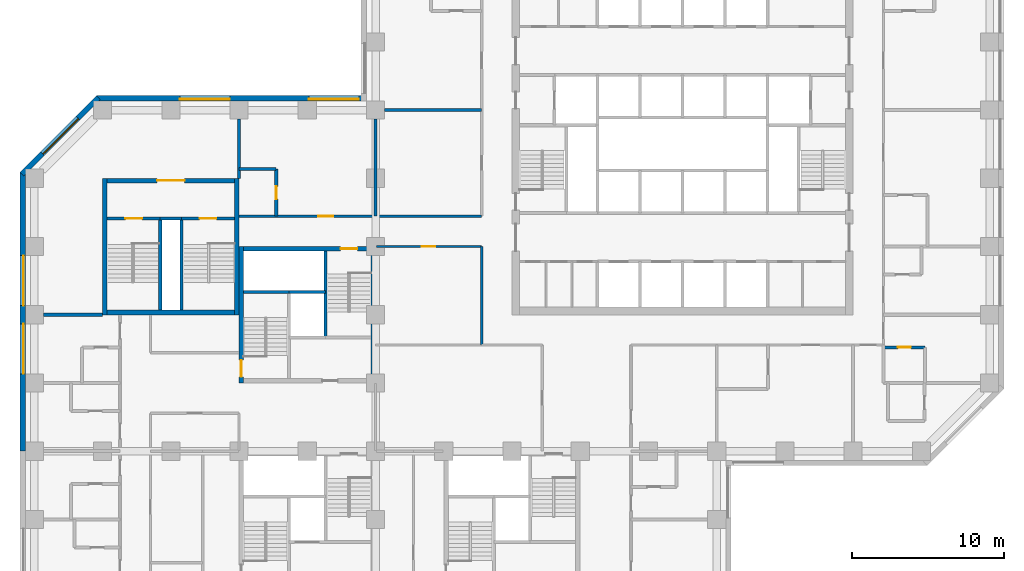
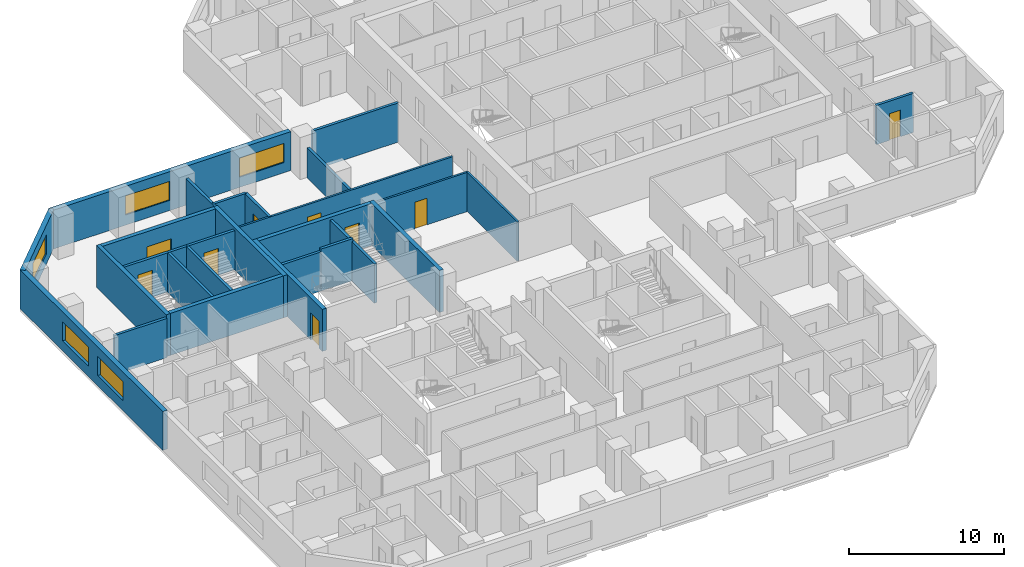
# One storey, part 6 of 12: 28 walls, 9 doors, 5 windows, 14 openings.
"""IFC4 building model written with IfcOpenShell, lengths in metres."""

import ifcopenshell
import ifcopenshell.guid

model = None  # the IFC model being written
_history = None  # IfcOwnerHistory: only IFC2X3 demands one
_inside = {}  # id of a spatial element -> (the spatial element, [elements in it])
_under = {}  # id of a project, library or spatial element -> (it, [spatial elements below it])
_declared = {}  # id of a project -> (the project, [libraries it declares])
_typed = {}  # id of a type object -> (the type object, [elements of that type])
_made_of = {}  # id of a material, layer set ... -> (it, [elements and type objects made of it])


def new_model(schema):
    """Start an empty IFC model of exactly this schema.

    Asked for "IFC4X3", IfcOpenShell would pick the latest addendum, in which some entities
    have other attributes; the version numbers below select the first issue.
    IFC2X3 requires an IfcOwnerHistory on every rooted entity: one is made here for all.
    """
    global model, _history
    if schema == "IFC4X3":
        model = ifcopenshell.file(schema_version=(4, 3, 0, 0))
    else:
        model = ifcopenshell.file(schema=schema)
    _inside.clear()
    _under.clear()
    _declared.clear()
    _typed.clear()
    _made_of.clear()
    _history = None
    if model.schema == "IFC2X3":
        org = make("IfcOrganization", Name="unknown")
        user = make(
            "IfcPersonAndOrganization",
            ThePerson=make("IfcPerson", FamilyName="unknown"),
            TheOrganization=org,
        )
        app = make(
            "IfcApplication",
            ApplicationDeveloper=org,
            Version="unknown",
            ApplicationFullName="unknown",
            ApplicationIdentifier="unknown",
        )
        _history = make(
            "IfcOwnerHistory",
            OwningUser=user,
            OwningApplication=app,
            ChangeAction="ADDED",
            CreationDate=0,
        )
    return model


def make(cls, **values):
    """One entity of the class cls with the attributes given. An attribute that is None is left unset."""
    return model.create_entity(
        cls, **{name: value for name, value in values.items() if value is not None}
    )


def rooted(cls, **values):
    """An entity with a GlobalId (a new one), such as an element, a storey or a relation."""
    return make(cls, GlobalId=ifcopenshell.guid.new(), OwnerHistory=_history, **values)


def si_unit(unit_type, name, prefix=None):
    """IfcSIUnit, for example si_unit("LENGTHUNIT", "METRE", prefix="MILLI")."""
    return make("IfcSIUnit", UnitType=unit_type, Prefix=prefix, Name=name)


def assignment(units):
    """IfcUnitAssignment: the units of a project."""
    return None if units is None else make("IfcUnitAssignment", Units=units)


def point(xyz):
    """IfcCartesianPoint."""
    return None if xyz is None else make("IfcCartesianPoint", Coordinates=xyz)


def direction(xyz):
    """IfcDirection."""
    return None if xyz is None else make("IfcDirection", DirectionRatios=xyz)


def frame(location, z_axis=None, x_axis=None):
    """IfcAxis2Placement3D, a coordinate frame: its origin and axes. An axis left out is left unset."""
    return make(
        "IfcAxis2Placement3D",
        Location=point(location),
        Axis=direction(z_axis),
        RefDirection=direction(x_axis),
    )


def frame_2d(location, x_axis=None):
    """IfcAxis2Placement2D, a coordinate frame in the plane: its origin and x axis."""
    return make(
        "IfcAxis2Placement2D", Location=point(location), RefDirection=direction(x_axis)
    )


def origin():
    """The frame at (0, 0, 0) with its axes left unset."""
    return frame((0.0, 0.0, 0.0))


def place(relative_to, where):
    """IfcLocalPlacement: puts the frame where relative to a parent placement (None: the world)."""
    return make(
        "IfcLocalPlacement", PlacementRelTo=relative_to, RelativePlacement=where
    )


def context(
    kind, dimensions, precision=None, world=None, true_north=None, identifier=None
):
    """IfcGeometricRepresentationContext, for example the 3D "Model" context."""
    return make(
        "IfcGeometricRepresentationContext",
        ContextIdentifier=identifier,
        ContextType=kind,
        CoordinateSpaceDimension=dimensions,
        Precision=precision,
        WorldCoordinateSystem=world,
        TrueNorth=true_north,
    )


def subcontext(parent, identifier, kind, view, scale=None):
    """IfcGeometricRepresentationSubContext, for example "Body" below "Model"."""
    return make(
        "IfcGeometricRepresentationSubContext",
        ContextIdentifier=identifier,
        ContextType=kind,
        ParentContext=parent,
        TargetScale=scale,
        TargetView=view,
    )


def project(units=None, contexts=None):
    """IfcProject with its units and contexts."""
    return rooted(
        "IfcProject",
        Name="project",
        RepresentationContexts=contexts,
        UnitsInContext=assignment(units),
    )


def spatial(cls, under=None, at=None, **own):
    """A site, building, storey or space (cls), placed at a placement, below another one or the project."""
    s = rooted(cls, ObjectPlacement=at, **own)
    if under is not None:
        _under.setdefault(under.id(), (under, []))[1].append(s)
    return s


def profile(cls, at=None, kind="AREA", **sizes):
    """A parametric profile (cls). Its sizes go by their IFC names, for example OverallWidth=200.0."""
    return make(cls, ProfileType=kind, Position=at, **sizes)


def rectangle(**sizes):
    """IfcRectangleProfileDef."""
    return profile("IfcRectangleProfileDef", **sizes)


def extrude(swept, where, along, depth):
    """IfcExtrudedAreaSolid: the profile swept, set in the frame where, extruded along a direction by depth."""
    return make(
        "IfcExtrudedAreaSolid",
        SweptArea=swept,
        Position=where,
        ExtrudedDirection=direction(along),
        Depth=depth,
    )


def shape(context_of_items, identifier, shape_type, items):
    """IfcShapeRepresentation: the items that make up one representation, for example the "Body"."""
    return make(
        "IfcShapeRepresentation",
        ContextOfItems=context_of_items,
        RepresentationIdentifier=identifier,
        RepresentationType=shape_type,
        Items=items,
    )


def material(Name=None, Category=None):
    """IfcMaterial."""
    return make("IfcMaterial", Name=Name, Category=Category)


def layer(
    of_material, thickness, ventilated=None, Name=None, Category=None, Priority=None
):
    """IfcMaterialLayer: one layer of a wall or slab, of a material (None: an air gap)."""
    return make(
        "IfcMaterialLayer",
        Material=of_material,
        LayerThickness=thickness,
        IsVentilated=ventilated,
        Name=Name,
        Category=Category,
        Priority=Priority,
    )


def layer_set(layers, Name=None):
    """IfcMaterialLayerSet."""
    return make("IfcMaterialLayerSet", MaterialLayers=layers, LayerSetName=Name)


def constituent(of_material, Name=None, Category=None, fraction=None):
    """IfcMaterialConstituent: one of the materials an element consists of."""
    return make(
        "IfcMaterialConstituent",
        Name=Name,
        Material=of_material,
        Fraction=fraction,
        Category=Category,
    )


def constituent_set(constituents=None, Name=None):
    """IfcMaterialConstituentSet."""
    return make(
        "IfcMaterialConstituentSet", Name=Name, MaterialConstituents=constituents
    )


def made_of(thing, what):
    """Note that an element or type object is made of a material, layer set ...; save() writes the relation."""
    if what is not None:
        _made_of.setdefault(what.id(), (what, []))[1].append(thing)
    return thing


def type_object(cls, material=None, **own):
    """A type object (cls), such as IfcWallType, which elements share."""
    return made_of(rooted(cls, **own), material)


def element(
    cls,
    number,
    at=None,
    inside=None,
    cuts=None,
    type_object=None,
    material=None,
    context=None,
    identifier="Body",
    shape_type=None,
    held_by="IfcProductDefinitionShape",
    body=None,
    shapes=None,
    **own,
):
    """One element of the class cls, such as IfcWall. Its Tag is "e" and its number.

    at: its placement. inside: the storey or other place that contains it. cuts: it is an
    opening in that element (IfcRelVoidsElement). A single representation is given by context,
    identifier, shape_type and body (its items); several are given by shapes. held_by: the class
    of the entity that holds the representations. save() writes the other relations.
    """
    e = rooted(cls, Tag="e%d" % number, ObjectPlacement=at, **own)
    if body is not None:
        shapes = [shape(context, identifier, shape_type, body)]
    if shapes is not None:
        e.Representation = make(held_by, Representations=shapes)
    if inside is not None:
        _inside.setdefault(inside.id(), (inside, []))[1].append(e)
    if cuts is not None:
        rooted(
            "IfcRelVoidsElement", RelatingBuildingElement=cuts, RelatedOpeningElement=e
        )
    if type_object is not None:
        _typed.setdefault(type_object.id(), (type_object, []))[1].append(e)
    return made_of(e, material)


def fill(opening, filler):
    """IfcRelFillsElement: the door or window that sits in an opening."""
    return rooted(
        "IfcRelFillsElement",
        RelatingOpeningElement=opening,
        RelatedBuildingElement=filler,
    )


def aggregate(whole, parts):
    """IfcRelAggregates: a whole, such as a stair, and the parts it consists of."""
    return rooted("IfcRelAggregates", RelatingObject=whole, RelatedObjects=parts)


def save(model, path):
    """Write the relations noted so far, then the file.

    IfcRelAggregates (storeys below a building ...), IfcRelContainedInSpatialStructure (elements
    in a storey), IfcRelDefinesByType, IfcRelAssociatesMaterial and IfcRelDeclares: one each for
    every whole, place, type object, material and project.
    """
    for whole, parts in _under.values():
        aggregate(whole, parts)
    for where, things in _inside.values():
        rooted(
            "IfcRelContainedInSpatialStructure",
            RelatedElements=things,
            RelatingStructure=where,
        )
    for kind, things in _typed.values():
        rooted("IfcRelDefinesByType", RelatedObjects=things, RelatingType=kind)
    for what, things in _made_of.values():
        rooted("IfcRelAssociatesMaterial", RelatedObjects=things, RelatingMaterial=what)
    for by, libraries in _declared.values():
        rooted("IfcRelDeclares", RelatingContext=by, RelatedDefinitions=libraries)
    model.write(path)


model = new_model("IFC4")

# Units and contexts
model_context = context("Model", 3, precision=1e-05, world=origin(), true_north=direction((0.0, 1.0)))
body_context = subcontext(model_context, "Body", "Model", "MODEL_VIEW")
ifc_project = project(units=[si_unit("LENGTHUNIT", "METRE"), si_unit("AREAUNIT", "SQUARE_METRE"), si_unit("VOLUMEUNIT", "CUBIC_METRE"), si_unit("PLANEANGLEUNIT", "RADIAN"), si_unit("MASSUNIT", "GRAM", prefix="KILO")], contexts=[model_context])

# Site, building, storey
site_placement = place(None, origin())
site = spatial("IfcSite", under=ifc_project, at=site_placement, CompositionType="ELEMENT")
building_placement = place(site_placement, origin())
building = spatial("IfcBuilding", under=site, at=building_placement, Name="Quoin Convention Tower", CompositionType="ELEMENT")
storey_placement = place(building_placement, frame((0.0, 0.0, 56.10009765625)))
storey = spatial("IfcBuildingStorey", under=building, at=storey_placement, Name="L14", CompositionType="ELEMENT", Elevation=56.10009765625)

# Wall, openings, windows
ifc_material_1 = material(Name="Brick masonry", Category="masonry")
ifc_layer_1 = layer(ifc_material_1, 0.35009765625)
ifc_layer_set_1 = layer_set([ifc_layer_1], Name="Brick masonry")
wall_type_1 = type_object("IfcWallType", Name="Brick facade wall", PredefinedType="STANDARD", material=ifc_layer_set_1)
wall_1_placement = place(storey_placement, frame((35.39990234375, 63.77490234375, 0.0), z_axis=(0.0, 0.0, 1.0), x_axis=(-1.0, 0.0, 0.0)))
wall_1 = element("IfcWall", 1, at=wall_1_placement, inside=storey, type_object=wall_type_1, Name="fw-L14-36000_63000", PredefinedType="STANDARD", context=body_context, shape_type="SweptSolid", body=[
    extrude(rectangle(XDim=17.79345703125, YDim=0.35009765625, at=frame_2d((8.896728515625, 0.0))), origin(), (0.0, 0.0, 1.0), 3.054931640625),
])
opening_1_placement = place(wall_1_placement, frame((0.5, 0.0, 0.800048828125)))
opening_1 = element("IfcOpeningElement", 2, at=opening_1_placement, cuts=wall_1, Name="Opening W-01", PredefinedType="OPENING", context=body_context, shape_type="SweptSolid", body=[
    extrude(rectangle(XDim=3.300048828125, YDim=1.5, at=frame_2d((1.64990234375, 0.75))), frame((0.0, 0.18505859375, 0.0), z_axis=(0.0, -1.0, 0.0), x_axis=(1.0, 0.0, 0.0)), (0.0, 0.0, 1.0), 0.3701171875),
])
opening_2_placement = place(wall_1_placement, frame((9.0, 0.0, 0.800048828125)))
opening_2 = element("IfcOpeningElement", 3, at=opening_2_placement, cuts=wall_1, Name="Opening W-01", PredefinedType="OPENING", context=body_context, shape_type="SweptSolid", body=[
    extrude(rectangle(XDim=3.300048828125, YDim=1.5, at=frame_2d((1.64990234375, 0.75))), frame((0.0, 0.18505859375, 0.0), z_axis=(0.0, -1.0, 0.0), x_axis=(1.0, 0.0, 0.0)), (0.0, 0.0, 1.0), 0.3701171875),
])
ifc_material_2 = material(Name="Aluminium", Category="aluminium")
ifc_constituent_1 = constituent(ifc_material_2, Name="Frame")
ifc_material_3 = material(Name="Insulated glass", Category="glass")
ifc_constituent_2 = constituent(ifc_material_3, Name="Glazing")
ifc_constituent_set = constituent_set(constituents=[ifc_constituent_1, ifc_constituent_2], Name="Aluminium")
window_type = type_object("IfcWindowType", Name="Hotel strip window", PartitioningType="DOUBLE_PANEL_VERTICAL", PredefinedType="WINDOW", material=ifc_constituent_set)
window_1_placement = place(opening_1_placement, origin())
window_1 = element("IfcWindow", 4, at=window_1_placement, inside=storey, type_object=window_type, Name="win-L14-33750_63775", OverallHeight=1.5, OverallWidth=3.300048828125, PartitioningType="SINGLE_PANEL", PredefinedType="WINDOW", context=body_context, shape_type="SweptSolid", body=[
    extrude(rectangle(XDim=3.300048828125, YDim=1.5, at=frame_2d((1.64990234375, 0.75))), frame((0.0, 0.0849609375, 0.0), z_axis=(0.0, -1.0, 0.0), x_axis=(1.0, 0.0, 0.0)), (0.0, 0.0, 1.0), 0.06005859375),
])
fill(opening_1, window_1)
window_2_placement = place(opening_2_placement, origin())
window_2 = element("IfcWindow", 5, at=window_2_placement, inside=storey, type_object=window_type, Name="win-L14-24750_63775", OverallHeight=1.5, OverallWidth=3.300048828125, PartitioningType="SINGLE_PANEL", PredefinedType="WINDOW", context=body_context, shape_type="SweptSolid", body=[
    extrude(rectangle(XDim=3.300048828125, YDim=1.5, at=frame_2d((1.64990234375, 0.75))), frame((0.0, 0.0849609375, 0.0), z_axis=(0.0, -1.0, 0.0), x_axis=(1.0, 0.0, 0.0)), (0.0, 0.0, 1.0), 0.06005859375),
])
fill(opening_2, window_2)

# Wall, opening, window
wall_2_placement = place(storey_placement, frame((17.730224609375, 63.826416015625, 0.0), z_axis=(0.0, 0.0, 1.0), x_axis=(-0.707106781187, -0.707106781187, 0.0)))
wall_2 = element("IfcWall", 6, at=wall_2_placement, inside=storey, type_object=wall_type_1, Name="fw-L14-18000_63000", PredefinedType="STANDARD", context=body_context, shape_type="SweptSolid", body=[
    extrude(rectangle(XDim=7.151123046875, YDim=0.35009765625, at=frame_2d((3.57568359375, 0.0))), origin(), (0.0, 0.0, 1.0), 3.054931640625),
])
opening_3_placement = place(wall_2_placement, frame((1.925537109375, 0.0, 0.800048828125)))
opening_3 = element("IfcOpeningElement", 7, at=opening_3_placement, cuts=wall_2, Name="Opening W-01", PredefinedType="OPENING", context=body_context, shape_type="SweptSolid", body=[
    extrude(rectangle(XDim=3.300048828125, YDim=1.5, at=frame_2d((1.64990234375, 0.75))), frame((0.0, 0.18505859375, 0.0), z_axis=(0.0, -1.0, 0.0), x_axis=(1.0, 0.0, 0.0)), (0.0, 0.0, 1.0), 0.3701171875),
])
window_3_placement = place(opening_3_placement, origin())
window_3 = element("IfcWindow", 8, at=window_3_placement, inside=storey, type_object=window_type, Name="win-L14-15202_61298", OverallHeight=1.5, OverallWidth=3.300048828125, PartitioningType="SINGLE_PANEL", PredefinedType="WINDOW", context=body_context, shape_type="SweptSolid", body=[
    extrude(rectangle(XDim=3.300048828125, YDim=1.5, at=frame_2d((1.64990234375, 0.75))), frame((0.0, 0.0849609375, 0.0), z_axis=(0.0, -1.0, 0.0), x_axis=(1.0, 0.0, 0.0)), (0.0, 0.0, 1.0), 0.06005859375),
])
fill(opening_3, window_3)

# Wall, openings, windows
wall_3_placement = place(storey_placement, frame((12.72509765625, 58.8935546875, 0.0), z_axis=(0.0, 0.0, 1.0), x_axis=(0.0, -1.0, 0.0)))
wall_3 = element("IfcWall", 9, at=wall_3_placement, inside=storey, type_object=wall_type_1, Name="fw-L14-13500_58500", PredefinedType="STANDARD", context=body_context, shape_type="SweptSolid", body=[
    extrude(rectangle(XDim=18.3935546875, YDim=0.35009765625, at=frame_2d((9.19677734375, 0.0))), origin(), (0.0, 0.0, 1.0), 3.054931640625),
])
opening_4_placement = place(wall_3_placement, frame((5.493408203125, 0.0, 0.800048828125)))
opening_4 = element("IfcOpeningElement", 10, at=opening_4_placement, cuts=wall_3, Name="Opening W-01", PredefinedType="OPENING", context=body_context, shape_type="SweptSolid", body=[
    extrude(rectangle(XDim=3.300048828125, YDim=1.5, at=frame_2d((1.64990234375, 0.75))), frame((0.0, 0.18505859375, 0.0), z_axis=(0.0, -1.0, 0.0), x_axis=(1.0, 0.0, 0.0)), (0.0, 0.0, 1.0), 0.3701171875),
])
opening_5_placement = place(wall_3_placement, frame((9.993408203125, 0.0, 0.800048828125)))
opening_5 = element("IfcOpeningElement", 11, at=opening_5_placement, cuts=wall_3, Name="Opening W-01", PredefinedType="OPENING", context=body_context, shape_type="SweptSolid", body=[
    extrude(rectangle(XDim=3.300048828125, YDim=1.5, at=frame_2d((1.64990234375, 0.75))), frame((0.0, 0.18505859375, 0.0), z_axis=(0.0, -1.0, 0.0), x_axis=(1.0, 0.0, 0.0)), (0.0, 0.0, 1.0), 0.3701171875),
])
window_4_placement = place(opening_4_placement, origin())
window_4 = element("IfcWindow", 12, at=window_4_placement, inside=storey, type_object=window_type, Name="win-L14-12725_51750", OverallHeight=1.5, OverallWidth=3.300048828125, PartitioningType="SINGLE_PANEL", PredefinedType="WINDOW", context=body_context, shape_type="SweptSolid", body=[
    extrude(rectangle(XDim=3.300048828125, YDim=1.5, at=frame_2d((1.64990234375, 0.75))), frame((0.0, 0.0849609375, 0.0), z_axis=(0.0, -1.0, 0.0), x_axis=(1.0, 0.0, 0.0)), (0.0, 0.0, 1.0), 0.06005859375),
])
fill(opening_4, window_4)
window_5_placement = place(opening_5_placement, origin())
window_5 = element("IfcWindow", 13, at=window_5_placement, inside=storey, type_object=window_type, Name="win-L14-12725_47250", OverallHeight=1.5, OverallWidth=3.300048828125, PartitioningType="SINGLE_PANEL", PredefinedType="WINDOW", context=body_context, shape_type="SweptSolid", body=[
    extrude(rectangle(XDim=3.300048828125, YDim=1.5, at=frame_2d((1.64990234375, 0.75))), frame((0.0, 0.0849609375, 0.0), z_axis=(0.0, -1.0, 0.0), x_axis=(1.0, 0.0, 0.0)), (0.0, 0.0, 1.0), 0.06005859375),
])
fill(opening_5, window_5)

# Walls
ifc_material_4 = material(Name="Concrete C50", Category="concrete")
ifc_layer_2 = layer(ifc_material_4, 0.199951171875)
ifc_layer_set_2 = layer_set([ifc_layer_2], Name="Concrete C50")
wall_type_2 = type_object("IfcWallType", Name="Core shaft wall", PredefinedType="SOLIDWALL", material=ifc_layer_set_2)
wall_4_placement = place(storey_placement, frame((27.300048828125, 51.0, 0.0), z_axis=(0.0, 0.0, 1.0), x_axis=(1.0, 0.0, 0.0)))
element("IfcWall", 14, at=wall_4_placement, inside=storey, type_object=wall_type_2, Name="cr-P2-L14-h6000_300", PredefinedType="SOLIDWALL", context=body_context, shape_type="SweptSolid", body=[
    extrude(rectangle(XDim=3.0, YDim=0.199951171875, at=frame_2d((1.5, 0.0))), origin(), (0.0, 0.0, 1.0), 3.079833984375),
])
wall_5_placement = place(storey_placement, frame((32.699951171875, 48.0, 0.0), z_axis=(0.0, 0.0, 1.0), x_axis=(0.0, 1.0, 0.0)))
element("IfcWall", 15, at=wall_5_placement, inside=storey, type_object=wall_type_2, Name="cr-P2-L14-v5700_3000", PredefinedType="SOLIDWALL", context=body_context, shape_type="SweptSolid", body=[
    extrude(rectangle(XDim=5.699951171875, YDim=0.199951171875, at=frame_2d((2.85009765625, 0.0))), origin(), (0.0, 0.0, 1.0), 3.079833984375),
])
wall_6_placement = place(storey_placement, frame((21.800048828125, 55.85009765625, 0.0), z_axis=(0.0, 0.0, 1.0), x_axis=(1.0, 0.0, 0.0)))
element("IfcWall", 16, at=wall_6_placement, inside=storey, type_object=wall_type_2, Name="cr-P6-L14-h6350_3800", PredefinedType="SOLIDWALL", context=body_context, shape_type="SweptSolid", body=[
    extrude(rectangle(XDim=1.39990234375, YDim=0.199951171875, at=frame_2d((0.699951171875, 0.0))), origin(), (0.0, 0.0, 1.0), 3.079833984375),
])

# Wall, opening, door
wall_7_placement = place(storey_placement, frame((18.300048828125, 55.85009765625, 0.0), z_axis=(0.0, 0.0, 1.0), x_axis=(1.0, 0.0, 0.0)))
wall_7 = element("IfcWall", 17, at=wall_7_placement, inside=storey, type_object=wall_type_2, Name="cr-P6-L14-h6350_300", PredefinedType="SOLIDWALL", context=body_context, shape_type="SweptSolid", body=[
    extrude(rectangle(XDim=3.5, YDim=0.199951171875, at=frame_2d((1.75, 0.0))), origin(), (0.0, 0.0, 1.0), 3.079833984375),
])
opening_6_placement = place(wall_7_placement, frame((1.199951171875, 0.0, 0.0)))
opening_6 = element("IfcOpeningElement", 18, at=opening_6_placement, cuts=wall_7, Name="Opening SD11", PredefinedType="OPENING", context=body_context, shape_type="SweptSolid", body=[
    extrude(rectangle(XDim=1.10009765625, YDim=2.10009765625, at=frame_2d((0.550048828125, 1.050048828125))), frame((0.0, 0.10986328125, 0.0), z_axis=(0.0, -1.0, 0.0), x_axis=(1.0, 0.0, 0.0)), (0.0, 0.0, 1.0), 0.219970703125),
])
ifc_material_5 = material(Name="Steel door leaf", Category="steel")
door_type_1 = type_object("IfcDoorType", Name="Stair door 1100 x 2100", OperationType="SINGLE_SWING_RIGHT", PredefinedType="DOOR", material=ifc_material_5)
door_1_placement = place(opening_6_placement, origin())
door_1 = element("IfcDoor", 19, at=door_1_placement, inside=storey, type_object=door_type_1, Name="cd-P6-L14-SA-R2-SD11", OperationType="SINGLE_SWING_RIGHT", OverallHeight=2.10009765625, OverallWidth=1.10009765625, PredefinedType="DOOR", context=body_context, shape_type="SweptSolid", body=[
    extrude(rectangle(XDim=1.10009765625, YDim=2.10009765625, at=frame_2d((0.550048828125, 1.050048828125))), frame((0.0, 0.02490234375, 0.0), z_axis=(0.0, -1.0, 0.0), x_axis=(1.0, 0.0, 0.0)), (0.0, 0.0, 1.0), 0.050048828125),
])
fill(opening_6, door_1)

wall_8_placement = place(storey_placement, frame((23.199951171875, 55.85009765625, 0.0), z_axis=(0.0, 0.0, 1.0), x_axis=(1.0, 0.0, 0.0)))
wall_8 = element("IfcWall", 20, at=wall_8_placement, inside=storey, type_object=wall_type_2, Name="cr-P6-L14-h6350_5200", PredefinedType="SOLIDWALL", context=body_context, shape_type="SweptSolid", body=[
    extrude(rectangle(XDim=3.5, YDim=0.199951171875, at=frame_2d((1.75, 0.0))), origin(), (0.0, 0.0, 1.0), 3.079833984375),
])
opening_7_placement = place(wall_8_placement, frame((1.199951171875, 0.0, 0.0)))
opening_7 = element("IfcOpeningElement", 21, at=opening_7_placement, cuts=wall_8, Name="Opening SD12", PredefinedType="OPENING", context=body_context, shape_type="SweptSolid", body=[
    extrude(rectangle(XDim=1.10009765625, YDim=2.10009765625, at=frame_2d((0.550048828125, 1.050048828125))), frame((0.0, 0.10986328125, 0.0), z_axis=(0.0, -1.0, 0.0), x_axis=(1.0, 0.0, 0.0)), (0.0, 0.0, 1.0), 0.219970703125),
])
door_2_placement = place(opening_7_placement, origin())
door_2 = element("IfcDoor", 22, at=door_2_placement, inside=storey, type_object=door_type_1, Name="cd-P6-L14-SB-R2-SD12", OperationType="SINGLE_SWING_RIGHT", OverallHeight=2.10009765625, OverallWidth=1.10009765625, PredefinedType="DOOR", context=body_context, shape_type="SweptSolid", body=[
    extrude(rectangle(XDim=1.10009765625, YDim=2.10009765625, at=frame_2d((0.550048828125, 1.050048828125))), frame((0.0, 0.02490234375, 0.0), z_axis=(0.0, -1.0, 0.0), x_axis=(1.0, 0.0, 0.0)), (0.0, 0.0, 1.0), 0.050048828125),
])
fill(opening_7, door_2)

# Walls
for number, where, z_axis, x_axis, name in (
    (23, (21.800048828125, 49.800048828125, 0.0), (0.0, 0.0, 1.0), (0.0, 1.0, 0.0), "cr-P6-L14-v3800_300"),
    (24, (23.199951171875, 49.800048828125, 0.0), (0.0, 0.0, 1.0), (0.0, 1.0, 0.0), "cr-P6-L14-v5200_300"),
):
    element("IfcWall", number, at=place(storey_placement, frame(where, z_axis=z_axis, x_axis=x_axis)), inside=storey, type_object=wall_type_2, Name=name, PredefinedType="SOLIDWALL", context=body_context, shape_type="SweptSolid", body=[
        extrude(rectangle(XDim=6.050048828125, YDim=0.199951171875, at=frame_2d((3.02490234375, 0.0))), origin(), (0.0, 0.0, 1.0), 3.079833984375),
    ])
ifc_layer_3 = layer(ifc_material_4, 0.199951171875)
ifc_layer_set_3 = layer_set([ifc_layer_3], Name="Concrete C50")
wall_type_3 = type_object("IfcWallType", Name="Core shaft wall to the floor level over", PredefinedType="SOLIDWALL", material=ifc_layer_set_3)
wall_9_placement = place(storey_placement, frame((30.300048828125, 51.0, 0.0), z_axis=(0.0, 0.0, 1.0), x_axis=(1.0, 0.0, 0.0)))
element("IfcWall", 25, at=wall_9_placement, inside=storey, type_object=wall_type_3, Name="cr-P2-L14-h6000_3300", PredefinedType="SOLIDWALL", context=body_context, shape_type="SweptSolid", body=[
    extrude(rectangle(XDim=2.39990234375, YDim=0.199951171875, at=frame_2d((1.199951171875, 0.0))), origin(), (0.0, 0.0, 1.0), 3.2998046875),
])

# Wall, opening, door
ifc_material_6 = material(Name="Concrete C80", Category="concrete")
ifc_layer_4 = layer(ifc_material_6, 0.300048828125)
ifc_layer_set_4 = layer_set([ifc_layer_4], Name="Concrete C80")
wall_type_4 = type_object("IfcWallType", Name="RC CORE WALL 300 C80", PredefinedType="SHEAR", material=ifc_layer_set_4)
wall_10_placement = place(storey_placement, frame((27.300048828125, 53.85009765625, 0.0), z_axis=(0.0, 0.0, 1.0), x_axis=(1.0, 0.0, 0.0)))
wall_10 = element("IfcWall", 26, at=wall_10_placement, inside=storey, type_object=wall_type_4, Name="cwl-P2-L14-N", PredefinedType="SHEAR", context=body_context, shape_type="SweptSolid", body=[
    extrude(rectangle(XDim=8.39990234375, YDim=0.300048828125, at=frame_2d((4.199951171875, 0.0))), origin(), (0.0, 0.0, 1.0), 3.2998046875),
])
opening_8_placement = place(wall_10_placement, frame((6.39990234375, 0.0, 0.0)))
opening_8 = element("IfcOpeningElement", 27, at=opening_8_placement, cuts=wall_10, Name="Opening SD4", PredefinedType="OPENING", context=body_context, shape_type="SweptSolid", body=[
    extrude(rectangle(XDim=1.10009765625, YDim=2.10009765625, at=frame_2d((0.550048828125, 1.050048828125))), frame((0.0, 0.159912109375, 0.0), z_axis=(0.0, -1.0, 0.0), x_axis=(1.0, 0.0, 0.0)), (0.0, 0.0, 1.0), 0.320068359375),
])
door_3_placement = place(opening_8_placement, frame((1.10009765625, 0.0, 0.0), z_axis=(0.0, 0.0, 1.0), x_axis=(-1.0, 0.0, 0.0)))
door_3 = element("IfcDoor", 28, at=door_3_placement, inside=storey, type_object=door_type_1, Name="cd-P2-L14-SB-N", OperationType="SINGLE_SWING_LEFT", OverallHeight=2.10009765625, OverallWidth=1.10009765625, PredefinedType="DOOR", context=body_context, shape_type="SweptSolid", body=[
    extrude(rectangle(XDim=1.10009765625, YDim=2.10009765625, at=frame_2d((0.550048828125, 1.050048828125))), frame((0.0, 0.02490234375, 0.0), z_axis=(0.0, -1.0, 0.0), x_axis=(1.0, 0.0, 0.0)), (0.0, 0.0, 1.0), 0.050048828125),
])
fill(opening_8, door_3)

wall_11_placement = place(storey_placement, frame((27.14990234375, 45.0, 0.0), z_axis=(0.0, 0.0, 1.0), x_axis=(0.0, 1.0, 0.0)))
wall_11 = element("IfcWall", 29, at=wall_11_placement, inside=storey, type_object=wall_type_4, Name="cwl-P2-L14-W", PredefinedType="SHEAR", context=body_context, shape_type="SweptSolid", body=[
    extrude(rectangle(XDim=9.0, YDim=0.300048828125, at=frame_2d((4.5, 0.0))), origin(), (0.0, 0.0, 1.0), 3.2998046875),
])
opening_9_placement = place(wall_11_placement, frame((0.39990234375, 0.0, 0.0)))
opening_9 = element("IfcOpeningElement", 30, at=opening_9_placement, cuts=wall_11, Name="Opening SD3", PredefinedType="OPENING", context=body_context, shape_type="SweptSolid", body=[
    extrude(rectangle(XDim=1.10009765625, YDim=2.10009765625, at=frame_2d((0.550048828125, 1.050048828125))), frame((0.0, 0.159912109375, 0.0), z_axis=(0.0, -1.0, 0.0), x_axis=(1.0, 0.0, 0.0)), (0.0, 0.0, 1.0), 0.320068359375),
])
door_4_placement = place(opening_9_placement, frame((1.10009765625, 0.0, 0.0), z_axis=(0.0, 0.0, 1.0), x_axis=(-1.0, 0.0, 0.0)))
door_4 = element("IfcDoor", 31, at=door_4_placement, inside=storey, type_object=door_type_1, Name="cd-P2-L14-SA-W", OperationType="SINGLE_SWING_RIGHT", OverallHeight=2.10009765625, OverallWidth=1.10009765625, PredefinedType="DOOR", context=body_context, shape_type="SweptSolid", body=[
    extrude(rectangle(XDim=1.10009765625, YDim=2.10009765625, at=frame_2d((0.550048828125, 1.050048828125))), frame((0.0, 0.02490234375, 0.0), z_axis=(0.0, -1.0, 0.0), x_axis=(1.0, 0.0, 0.0)), (0.0, 0.0, 1.0), 0.050048828125),
])
fill(opening_9, door_4)

# Walls
wall_12_placement = place(storey_placement, frame((35.85009765625, 45.0, 0.0), z_axis=(0.0, 0.0, 1.0), x_axis=(0.0, 1.0, 0.0)))
element("IfcWall", 32, at=wall_12_placement, inside=storey, type_object=wall_type_4, Name="cwl-P2-L14-E", PredefinedType="SHEAR", context=body_context, shape_type="SweptSolid", body=[
    extrude(rectangle(XDim=9.0, YDim=0.300048828125, at=frame_2d((4.5, 0.0))), origin(), (0.0, 0.0, 1.0), 3.2998046875),
])
wall_13_placement = place(storey_placement, frame((18.300048828125, 49.64990234375, 0.0), z_axis=(0.0, 0.0, 1.0), x_axis=(1.0, 0.0, 0.0)))
element("IfcWall", 33, at=wall_13_placement, inside=storey, type_object=wall_type_4, Name="cwl-P6-L14-S", PredefinedType="SHEAR", context=body_context, shape_type="SweptSolid", body=[
    extrude(rectangle(XDim=8.39990234375, YDim=0.300048828125, at=frame_2d((4.199951171875, 0.0))), origin(), (0.0, 0.0, 1.0), 3.2998046875),
])

# Wall, opening, door
wall_14_placement = place(storey_placement, frame((18.300048828125, 58.35009765625, 0.0), z_axis=(0.0, 0.0, 1.0), x_axis=(1.0, 0.0, 0.0)))
wall_14 = element("IfcWall", 34, at=wall_14_placement, inside=storey, type_object=wall_type_4, Name="cwl-P6-L14-N", PredefinedType="SHEAR", context=body_context, shape_type="SweptSolid", body=[
    extrude(rectangle(XDim=8.39990234375, YDim=0.300048828125, at=frame_2d((4.199951171875, 0.0))), origin(), (0.0, 0.0, 1.0), 3.2998046875),
])
opening_10_placement = place(wall_14_placement, frame((3.300048828125, 0.0, 0.0)))
opening_10 = element("IfcOpeningElement", 35, at=opening_10_placement, cuts=wall_14, Name="Opening DCV5-55", PredefinedType="OPENING", context=body_context, shape_type="SweptSolid", body=[
    extrude(rectangle(XDim=1.800048828125, YDim=2.10009765625, at=frame_2d((0.89990234375, 1.050048828125))), frame((0.0, 0.159912109375, 0.0), z_axis=(0.0, -1.0, 0.0), x_axis=(1.0, 0.0, 0.0)), (0.0, 0.0, 1.0), 0.320068359375),
])
door_type_2 = type_object("IfcDoorType", Name="Goods lobby door 1800 x 2100", OperationType="SINGLE_SWING_LEFT", PredefinedType="DOOR", material=ifc_material_5)
door_5_placement = place(opening_10_placement, origin())
door_5 = element("IfcDoor", 36, at=door_5_placement, inside=storey, type_object=door_type_2, Name="cd-P6-L14-R2-N", OperationType="SINGLE_SWING_RIGHT", OverallHeight=2.10009765625, OverallWidth=1.800048828125, PredefinedType="DOOR", context=body_context, shape_type="SweptSolid", body=[
    extrude(rectangle(XDim=1.800048828125, YDim=2.10009765625, at=frame_2d((0.89990234375, 1.050048828125))), frame((0.0, 0.02490234375, 0.0), z_axis=(0.0, -1.0, 0.0), x_axis=(1.0, 0.0, 0.0)), (0.0, 0.0, 1.0), 0.050048828125),
])
fill(opening_10, door_5)

# Walls
for number, where, z_axis, x_axis, name in (
    (37, (18.14990234375, 49.5, 0.0), (0.0, 0.0, 1.0), (0.0, 1.0, 0.0), "cwl-P6-L14-W"),
    (38, (26.85009765625, 49.5, 0.0), (0.0, 0.0, 1.0), (0.0, 1.0, 0.0), "cwl-P6-L14-E"),
):
    element("IfcWall", number, at=place(storey_placement, frame(where, z_axis=z_axis, x_axis=x_axis)), inside=storey, type_object=wall_type_4, Name=name, PredefinedType="SHEAR", context=body_context, shape_type="SweptSolid", body=[
        extrude(rectangle(XDim=9.0, YDim=0.300048828125, at=frame_2d((4.5, 0.0))), origin(), (0.0, 0.0, 1.0), 3.2998046875),
    ])

# Wall, opening, door
ifc_layer_5 = layer(ifc_material_4, 0.199951171875)
ifc_layer_set_5 = layer_set([ifc_layer_5], Name="Concrete C50")
wall_type_5 = type_object("IfcWallType", Name="RC party wall", PredefinedType="SOLIDWALL", material=ifc_layer_set_5)
wall_15_placement = place(storey_placement, frame((69.5, 47.35009765625, 0.0), z_axis=(0.0, 0.0, 1.0), x_axis=(1.0, 0.0, 0.0)))
wall_15 = element("IfcWall", 39, at=wall_15_placement, inside=storey, type_object=wall_type_5, Name="pw-L14-092", PredefinedType="SOLIDWALL", context=body_context, shape_type="SweptSolid", body=[
    extrude(rectangle(XDim=2.75, YDim=0.199951171875, at=frame_2d((1.375, 0.0))), origin(), (0.0, 0.0, 1.0), 3.079833984375),
])
opening_11_placement = place(wall_15_placement, frame((0.949951171875, 0.0, 0.0)))
opening_11 = element("IfcOpeningElement", 40, at=opening_11_placement, cuts=wall_15, Name="Opening DHOTEL-C-59", PredefinedType="OPENING", context=body_context, shape_type="SweptSolid", body=[
    extrude(rectangle(XDim=0.85009765625, YDim=2.10009765625, at=frame_2d((0.425048828125, 1.050048828125))), frame((0.0, 0.10986328125, 0.0), z_axis=(0.0, -1.0, 0.0), x_axis=(1.0, 0.0, 0.0)), (0.0, 0.0, 1.0), 0.219970703125),
])
door_type_3 = type_object("IfcDoorType", Name="Bathroom door", OperationType="SINGLE_SWING_LEFT", PredefinedType="DOOR", material=ifc_material_5)
door_6_placement = place(opening_11_placement, origin())
door_6 = element("IfcDoor", 41, at=door_6_placement, inside=storey, type_object=door_type_3, Name="dr-L14-056", OperationType="SINGLE_SWING_LEFT", OverallHeight=2.10009765625, OverallWidth=0.85009765625, PredefinedType="DOOR", context=body_context, shape_type="SweptSolid", body=[
    extrude(rectangle(XDim=0.85009765625, YDim=2.10009765625, at=frame_2d((0.425048828125, 1.050048828125))), frame((0.0, 0.02490234375, 0.0), z_axis=(0.0, -1.0, 0.0), x_axis=(1.0, 0.0, 0.0)), (0.0, 0.0, 1.0), 0.050048828125),
])
fill(opening_11, door_6)

# Walls
for number, where, z_axis, x_axis, name in (
    (42, (14.10009765625, 49.5, 0.0), (0.0, 0.0, 1.0), (1.0, 0.0, 0.0), "pw-L14-093"),
    (43, (27.0, 58.5, 0.0), (0.0, 0.0, 1.0), (0.0, 1.0, 0.0), "pw-L14-104"),
):
    element("IfcWall", number, at=place(storey_placement, frame(where, z_axis=z_axis, x_axis=x_axis)), inside=storey, type_object=wall_type_5, Name=name, PredefinedType="SOLIDWALL", context=body_context, shape_type="SweptSolid", body=[
        extrude(rectangle(XDim=3.89990234375, YDim=0.199951171875, at=frame_2d((1.949951171875, 0.0))), origin(), (0.0, 0.0, 1.0), 3.079833984375),
    ])

# Wall, opening, door
wall_16_placement = place(storey_placement, frame((29.449951171875, 56.0, 0.0), z_axis=(0.0, 0.0, 1.0), x_axis=(0.0, 1.0, 0.0)))
wall_16 = element("IfcWall", 44, at=wall_16_placement, inside=storey, type_object=wall_type_5, Name="pw-L14-105", PredefinedType="SOLIDWALL", context=body_context, shape_type="SweptSolid", body=[
    extrude(rectangle(XDim=3.10009765625, YDim=0.199951171875, at=frame_2d((1.550048828125, 0.0))), origin(), (0.0, 0.0, 1.0), 3.079833984375),
])
opening_12_placement = place(wall_16_placement, frame((1.125, 0.0, 0.0)))
opening_12 = element("IfcOpeningElement", 45, at=opening_12_placement, cuts=wall_16, Name="Opening DHOTEL-C-61", PredefinedType="OPENING", context=body_context, shape_type="SweptSolid", body=[
    extrude(rectangle(XDim=0.85009765625, YDim=2.10009765625, at=frame_2d((0.425048828125, 1.050048828125))), frame((0.0, 0.10986328125, 0.0), z_axis=(0.0, -1.0, 0.0), x_axis=(1.0, 0.0, 0.0)), (0.0, 0.0, 1.0), 0.219970703125),
])
door_7_placement = place(opening_12_placement, frame((0.85009765625, 0.0, 0.0), z_axis=(0.0, 0.0, 1.0), x_axis=(-1.0, 0.0, 0.0)))
door_7 = element("IfcDoor", 46, at=door_7_placement, inside=storey, type_object=door_type_3, Name="dr-L14-030", OperationType="SINGLE_SWING_RIGHT", OverallHeight=2.10009765625, OverallWidth=0.85009765625, PredefinedType="DOOR", context=body_context, shape_type="SweptSolid", body=[
    extrude(rectangle(XDim=0.85009765625, YDim=2.10009765625, at=frame_2d((0.425048828125, 1.050048828125))), frame((0.0, 0.02490234375, 0.0), z_axis=(0.0, -1.0, 0.0), x_axis=(1.0, 0.0, 0.0)), (0.0, 0.0, 1.0), 0.050048828125),
])
fill(opening_12, door_7)

# Walls
wall_17_placement = place(storey_placement, frame((27.0, 59.10009765625, 0.0), z_axis=(0.0, 0.0, 1.0), x_axis=(1.0, 0.0, 0.0)))
element("IfcWall", 47, at=wall_17_placement, inside=storey, type_object=wall_type_5, Name="pw-L14-110", PredefinedType="SOLIDWALL", context=body_context, shape_type="SweptSolid", body=[
    extrude(rectangle(XDim=2.449951171875, YDim=0.199951171875, at=frame_2d((1.22509765625, 0.0))), origin(), (0.0, 0.0, 1.0), 3.079833984375),
])
ifc_material_7 = material(Name="Plasterboard")
ifc_layer_6 = layer(ifc_material_7, 0.012451171875, Name="Finish")
ifc_material_8 = material(Name="Steel stud framing", Category="steel")
ifc_layer_7 = layer(ifc_material_8, 0.125, Name="Structure")
ifc_layer_8 = layer(ifc_material_7, 0.012451171875, Name="Finish")
ifc_layer_set_6 = layer_set([ifc_layer_6, ifc_layer_7, ifc_layer_8], Name="Steel stud framing")
wall_type_6 = type_object("IfcWallType", Name="corridor partition", PredefinedType="PARTITIONING", material=ifc_layer_set_6)
wall_18_placement = place(storey_placement, frame((43.0, 47.5, 0.0), z_axis=(0.0, 0.0, 1.0), x_axis=(0.0, 1.0, 0.0)))
element("IfcWall", 48, at=wall_18_placement, inside=storey, type_object=wall_type_6, Name="pw-L14-027", PredefinedType="PARTITIONING", context=body_context, shape_type="SweptSolid", body=[
    extrude(rectangle(XDim=6.5, YDim=0.14990234375, at=frame_2d((3.25, 0.0))), origin(), (0.0, 0.0, 1.0), 3.079833984375),
])

# Wall, opening, door
wall_19_placement = place(storey_placement, frame((36.050048828125, 54.0, 0.0), z_axis=(0.0, 0.0, 1.0), x_axis=(1.0, 0.0, 0.0)))
wall_19 = element("IfcWall", 49, at=wall_19_placement, inside=storey, type_object=wall_type_6, Name="pw-L14-031", PredefinedType="PARTITIONING", context=body_context, shape_type="SweptSolid", body=[
    extrude(rectangle(XDim=6.949951171875, YDim=0.14990234375, at=frame_2d((3.47509765625, 0.0))), origin(), (0.0, 0.0, 1.0), 3.079833984375),
])
opening_13_placement = place(wall_19_placement, frame((3.0, 0.0, 0.0)))
opening_13 = element("IfcOpeningElement", 50, at=opening_13_placement, cuts=wall_19, Name="Opening DHOTEL-C-30", PredefinedType="OPENING", context=body_context, shape_type="SweptSolid", body=[
    extrude(rectangle(XDim=0.89990234375, YDim=2.10009765625, at=frame_2d((0.449951171875, 1.050048828125))), frame((0.0, 0.0849609375, 0.0), z_axis=(0.0, -1.0, 0.0), x_axis=(1.0, 0.0, 0.0)), (0.0, 0.0, 1.0), 0.169921875),
])
door_type_4 = type_object("IfcDoorType", Name="Single room door", OperationType="SINGLE_SWING_RIGHT", PredefinedType="DOOR", material=ifc_material_5)
door_8_placement = place(opening_13_placement, frame((0.89990234375, 0.0, 0.0), z_axis=(0.0, 0.0, 1.0), x_axis=(-1.0, 0.0, 0.0)))
door_8 = element("IfcDoor", 51, at=door_8_placement, inside=storey, type_object=door_type_4, Name="dr-L14-076", OperationType="SINGLE_SWING_LEFT", OverallHeight=2.10009765625, OverallWidth=0.89990234375, PredefinedType="DOOR", context=body_context, shape_type="SweptSolid", body=[
    extrude(rectangle(XDim=0.89990234375, YDim=2.10009765625, at=frame_2d((0.449951171875, 1.050048828125))), frame((0.0, 0.02490234375, 0.0), z_axis=(0.0, -1.0, 0.0), x_axis=(1.0, 0.0, 0.0)), (0.0, 0.0, 1.0), 0.050048828125),
])
fill(opening_13, door_8)

wall_20_placement = place(storey_placement, frame((27.0, 56.0, 0.0), z_axis=(0.0, 0.0, 1.0), x_axis=(1.0, 0.0, 0.0)))
wall_20 = element("IfcWall", 52, at=wall_20_placement, inside=storey, type_object=wall_type_6, Name="pw-L14-032", PredefinedType="PARTITIONING", context=body_context, shape_type="SweptSolid", body=[
    extrude(rectangle(XDim=16.0, YDim=0.14990234375, at=frame_2d((8.0, 0.0))), origin(), (0.0, 0.0, 1.0), 3.079833984375),
])
opening_14_placement = place(wall_20_placement, frame((5.22509765625, 0.0, 0.0)))
opening_14 = element("IfcOpeningElement", 53, at=opening_14_placement, cuts=wall_20, Name="Opening DHOTEL-C-31", PredefinedType="OPENING", context=body_context, shape_type="SweptSolid", body=[
    extrude(rectangle(XDim=1.0, YDim=2.10009765625, at=frame_2d((0.5, 1.050048828125))), frame((0.0, 0.0849609375, 0.0), z_axis=(0.0, -1.0, 0.0), x_axis=(1.0, 0.0, 0.0)), (0.0, 0.0, 1.0), 0.169921875),
])
door_type_5 = type_object("IfcDoorType", Name="Hotel room door", OperationType="SINGLE_SWING_LEFT", PredefinedType="DOOR", material=ifc_material_5)
door_9_placement = place(opening_14_placement, origin())
door_9 = element("IfcDoor", 54, at=door_9_placement, inside=storey, type_object=door_type_5, Name="dr-L14-029", OperationType="SINGLE_SWING_RIGHT", OverallHeight=2.10009765625, OverallWidth=1.0, PredefinedType="DOOR", context=body_context, shape_type="SweptSolid", body=[
    extrude(rectangle(XDim=1.0, YDim=2.10009765625, at=frame_2d((0.5, 1.050048828125))), frame((0.0, 0.02490234375, 0.0), z_axis=(0.0, -1.0, 0.0), x_axis=(1.0, 0.0, 0.0)), (0.0, 0.0, 1.0), 0.050048828125),
])
fill(opening_14, door_9)

# Walls
ifc_layer_9 = layer(ifc_material_7, 0.012451171875, Name="Finish")
ifc_layer_10 = layer(ifc_material_8, 0.175048828125, Name="Structure")
ifc_layer_11 = layer(ifc_material_7, 0.012451171875, Name="Finish")
ifc_layer_set_7 = layer_set([ifc_layer_9, ifc_layer_10, ifc_layer_11], Name="Steel stud framing")
wall_type_7 = type_object("IfcWallType", Name="guest room compartment wall", PredefinedType="PARTITIONING", material=ifc_layer_set_7)
wall_21_placement = place(storey_placement, frame((36.60009765625, 63.0, 0.0), z_axis=(0.0, 0.0, 1.0), x_axis=(1.0, 0.0, 0.0)))
element("IfcWall", 55, at=wall_21_placement, inside=storey, type_object=wall_type_7, Name="pw-L14-002", PredefinedType="PARTITIONING", context=body_context, shape_type="SweptSolid", body=[
    extrude(rectangle(XDim=6.39990234375, YDim=0.199951171875, at=frame_2d((3.199951171875, 0.0))), origin(), (0.0, 0.0, 1.0), 3.079833984375),
])
ifc_layer_12 = layer(ifc_material_7, 0.012451171875, Name="Finish")
ifc_layer_13 = layer(ifc_material_8, 0.175048828125, Name="Structure")
ifc_layer_14 = layer(ifc_material_7, 0.012451171875, Name="Finish")
ifc_layer_set_8 = layer_set([ifc_layer_12, ifc_layer_13, ifc_layer_14], Name="Steel stud framing")
wall_type_8 = type_object("IfcWallType", Name="guest room compartment wall under beam 750", PredefinedType="PARTITIONING", material=ifc_layer_set_8)
wall_22_placement = place(storey_placement, frame((36.0, 56.0, 0.0), z_axis=(0.0, 0.0, 1.0), x_axis=(0.0, 1.0, 0.0)))
element("IfcWall", 56, at=wall_22_placement, inside=storey, type_object=wall_type_8, Name="pw-L14-001", PredefinedType="PARTITIONING", context=body_context, shape_type="SweptSolid", body=[
    extrude(rectangle(XDim=6.39990234375, YDim=0.199951171875, at=frame_2d((3.199951171875, 0.0))), origin(), (0.0, 0.0, 1.0), 2.329833984375),
])

save(model, "model.ifc")
